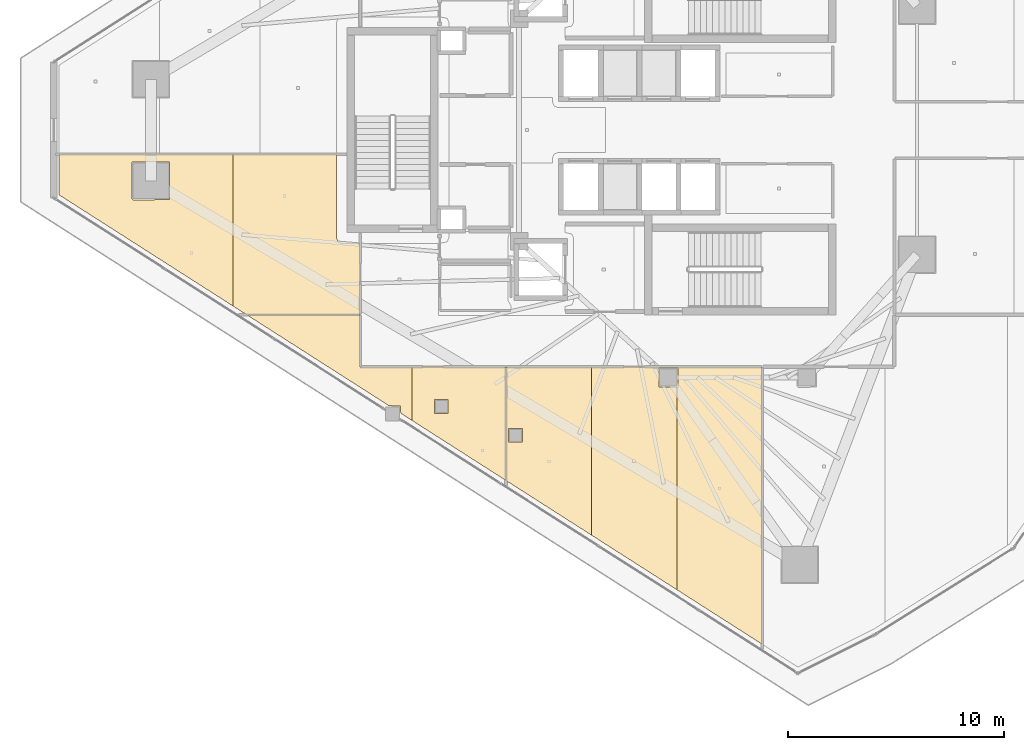
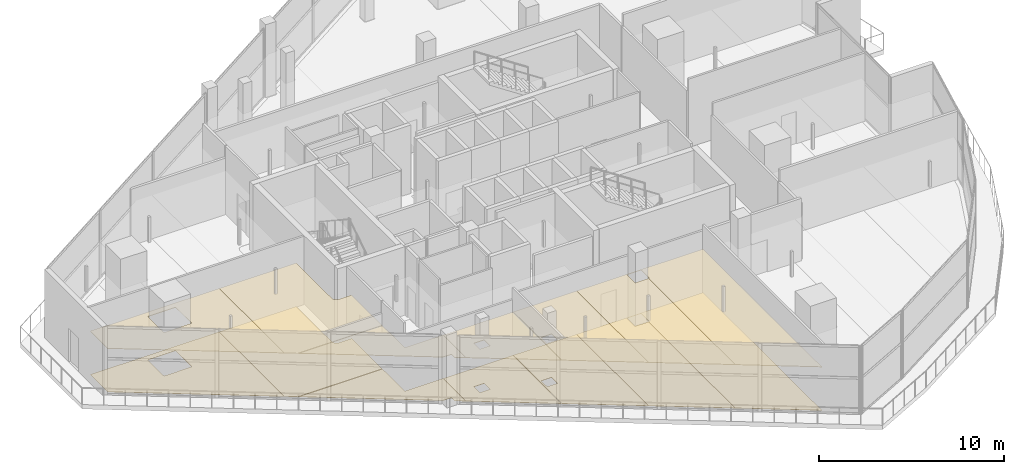
# One storey, part 30 of 36: 14 coverings.
"""IFC4 building model written with IfcOpenShell, lengths in metres."""

from ifc_helpers import new_model, si_unit, direction, frame, origin, place, context, subcontext, project, spatial, polyline, outline, extrude, material, layer, layer_set, type_object, element, save


model = new_model("IFC4")

# Units and contexts
model_context = context("Model", 3, precision=1e-05, world=origin(), true_north=direction((0.0, 1.0)))
body_context = subcontext(model_context, "Body", "Model", "MODEL_VIEW")
ifc_project = project(units=[si_unit("LENGTHUNIT", "METRE"), si_unit("AREAUNIT", "SQUARE_METRE"), si_unit("VOLUMEUNIT", "CUBIC_METRE"), si_unit("PLANEANGLEUNIT", "RADIAN"), si_unit("MASSUNIT", "GRAM", prefix="KILO")], contexts=[model_context])

# Site, building, storey
site_placement = place(None, origin())
site = spatial("IfcSite", under=ifc_project, at=site_placement, CompositionType="ELEMENT")
building_placement = place(site_placement, origin())
building = spatial("IfcBuilding", under=site, at=building_placement, Name="Qorvath Tower", CompositionType="ELEMENT")
storey_placement = place(building_placement, frame((0.0, 0.0, 255.0)))
storey = spatial("IfcBuildingStorey", under=building, at=storey_placement, Name="L59", CompositionType="ELEMENT", Elevation=255.0)

# Coverings
ifc_material_1 = material(Name="Acoustic mineral fibre ceiling tile", Category="gypsum")
ifc_layer_1 = layer(ifc_material_1, 0.030029296875)
ifc_layer_set_1 = layer_set([ifc_layer_1], Name="COV-CEIL")
covering_type_1 = type_object("IfcCoveringType", Name="COV-CEIL", PredefinedType="CEILING", material=ifc_layer_set_1)
covering_1_placement = place(storey_placement, frame((0.0, 0.0, 2.85009765625)))
element("IfcCovering", 1, at=covering_1_placement, inside=storey, type_object=covering_type_1, Name="L59 Suspended Acoustic Ceiling 017", PredefinedType="CEILING", context=body_context, shape_type="SweptSolid", body=[
    extrude(outline(polyline([(-37.863037109375, -8.554931640625), (-43.09375, -8.554931640625), (-36.529296875, -12.75048828125), (-35.997314453125, -12.76806640625), (-35.979736328125, -13.101806640625), (-35.46923828125, -13.427978515625), (-35.46923828125, -10.962890625), (-37.85791015625, -10.962890625), (-37.863037109375, -8.554931640625)])), origin(), (0.0, 0.0, 1.0), 0.030029296875),
])
covering_2_placement = place(storey_placement, frame((0.0, 0.0, 2.85009765625)))
element("IfcCovering", 2, at=covering_2_placement, inside=storey, type_object=covering_type_1, Name="L59 Suspended Acoustic Ceiling 018", PredefinedType="CEILING", context=body_context, shape_type="SweptSolid", body=[
    extrude(outline(polyline([(-35.46923828125, -10.962890625), (-35.46923828125, -13.427978515625), (-31.12109375, -16.20703125), (-31.12109375, -10.962890625), (-35.46923828125, -10.962890625)]), holes=[polyline([(-34.421630859375, -13.10986328125), (-34.421630859375, -12.47509765625), (-33.786865234375, -12.47509765625), (-33.786865234375, -13.10986328125), (-34.421630859375, -13.10986328125)])]), origin(), (0.0, 0.0, 1.0), 0.030029296875),
])
covering_3_placement = place(storey_placement, frame((0.0, 0.0, 2.85009765625)))
element("IfcCovering", 3, at=covering_3_placement, inside=storey, type_object=covering_type_1, Name="L59 Suspended Acoustic Ceiling 019", PredefinedType="CEILING", context=body_context, shape_type="SweptSolid", body=[
    extrude(outline(polyline([(-31.103271484375, -10.962890625), (-31.103271484375, -16.218505859375), (-27.157470703125, -18.740478515625), (-27.157470703125, -10.962890625), (-31.103271484375, -10.962890625)]), holes=[polyline([(-30.99462890625, -14.441650390625), (-30.99462890625, -13.806884765625), (-30.35986328125, -13.806884765625), (-30.35986328125, -14.441650390625), (-30.99462890625, -14.441650390625)])]), origin(), (0.0, 0.0, 1.0), 0.030029296875),
])
covering_4_placement = place(storey_placement, frame((0.0, 0.0, 2.85009765625)))
element("IfcCovering", 4, at=covering_4_placement, inside=storey, type_object=covering_type_1, Name="L59 Suspended Acoustic Ceiling 020", PredefinedType="CEILING", context=body_context, shape_type="SweptSolid", body=[
    extrude(outline(polyline([(-27.157470703125, -10.962890625), (-27.157470703125, -18.740478515625), (-23.211669921875, -21.26220703125), (-23.211669921875, -11.892333984375), (-24.04248046875, -11.892333984375), (-24.04248046875, -11.007568359375), (-23.211669921875, -11.007568359375), (-23.211669921875, -10.962890625), (-27.157470703125, -10.962890625)])), origin(), (0.0, 0.0, 1.0), 0.030029296875),
])
covering_5_placement = place(storey_placement, frame((0.0, 0.0, 2.85009765625)))
element("IfcCovering", 5, at=covering_5_placement, inside=storey, type_object=covering_type_1, Name="L59 Suspended Acoustic Ceiling 021", PredefinedType="CEILING", context=body_context, shape_type="SweptSolid", body=[
    extrude(outline(polyline([(-23.211669921875, -10.962890625), (-23.211669921875, -11.007568359375), (-23.157470703125, -11.007568359375), (-23.157470703125, -11.892333984375), (-23.211669921875, -11.892333984375), (-23.211669921875, -21.26220703125), (-19.265869140625, -23.7841796875), (-19.265869140625, -10.962890625), (-23.211669921875, -10.962890625)])), origin(), (0.0, 0.0, 1.0), 0.030029296875),
])
covering_6_placement = place(storey_placement, frame((0.0, 0.0, 2.85009765625)))
element("IfcCovering", 6, at=covering_6_placement, inside=storey, type_object=covering_type_1, Name="L59 Suspended Acoustic Ceiling 029", PredefinedType="CEILING", context=body_context, shape_type="SweptSolid", body=[
    extrude(outline(polyline([(-43.74658203125, -8.1376953125), (-43.74658203125, -1.11767578125), (-51.781005859375, -1.11767578125), (-51.781005859375, -3.002685546875), (-43.74658203125, -8.1376953125)]), holes=[polyline([(-48.422607421875, -3.174560546875), (-48.405029296875, -1.482177734375), (-46.670166015625, -1.482177734375), (-46.670166015625, -3.217041015625), (-48.362548828125, -3.234619140625), (-48.422607421875, -3.174560546875)])]), origin(), (0.0, 0.0, 1.0), 0.030029296875),
])
covering_7_placement = place(storey_placement, frame((0.0, 0.0, 2.85009765625)))
element("IfcCovering", 7, at=covering_7_placement, inside=storey, type_object=covering_type_1, Name="L59 Suspended Acoustic Ceiling 030", PredefinedType="CEILING", context=body_context, shape_type="SweptSolid", body=[
    extrude(outline(polyline([(-37.863037109375, -8.537109375), (-37.863037109375, -5.239990234375), (-38.699951171875, -5.239990234375), (-38.876708984375, -5.166748046875), (-38.949951171875, -4.989990234375), (-38.949951171875, -1.11767578125), (-43.74658203125, -1.11767578125), (-43.74658203125, -8.1376953125), (-43.121826171875, -8.537109375), (-37.863037109375, -8.537109375)])), origin(), (0.0, 0.0, 1.0), 0.030029296875),
])
ifc_material_2 = material(Name="Low-VOC modular carpet tile", Category="textile")
ifc_layer_2 = layer(ifc_material_2, 0.014892578125)
ifc_layer_set_2 = layer_set([ifc_layer_2], Name="COV-FLOOR-CPT")
covering_type_2 = type_object("IfcCoveringType", Name="COV-FLOOR-CPT", PredefinedType="FLOORING", material=ifc_layer_set_2)
covering_8_placement = place(storey_placement, origin())
element("IfcCovering", 8, at=covering_8_placement, inside=storey, type_object=covering_type_2, Name="L59 Floor Finish 017", PredefinedType="FLOORING", context=body_context, shape_type="SweptSolid", body=[
    extrude(outline(polyline([(-37.863037109375, -8.554931640625), (-43.09375, -8.554931640625), (-36.529296875, -12.75048828125), (-35.997314453125, -12.76806640625), (-35.979736328125, -13.101806640625), (-35.46923828125, -13.427978515625), (-35.46923828125, -10.962890625), (-37.85791015625, -10.962890625), (-37.863037109375, -8.554931640625)])), origin(), (0.0, 0.0, 1.0), 0.014892578125),
])
covering_9_placement = place(storey_placement, origin())
element("IfcCovering", 9, at=covering_9_placement, inside=storey, type_object=covering_type_2, Name="L59 Floor Finish 018", PredefinedType="FLOORING", context=body_context, shape_type="SweptSolid", body=[
    extrude(outline(polyline([(-35.46923828125, -10.962890625), (-35.46923828125, -13.427978515625), (-31.12109375, -16.20703125), (-31.12109375, -10.962890625), (-35.46923828125, -10.962890625)]), holes=[polyline([(-34.421630859375, -13.10986328125), (-34.421630859375, -12.47509765625), (-33.786865234375, -12.47509765625), (-33.786865234375, -13.10986328125), (-34.421630859375, -13.10986328125)])]), origin(), (0.0, 0.0, 1.0), 0.014892578125),
])
covering_10_placement = place(storey_placement, origin())
element("IfcCovering", 10, at=covering_10_placement, inside=storey, type_object=covering_type_2, Name="L59 Floor Finish 019", PredefinedType="FLOORING", context=body_context, shape_type="SweptSolid", body=[
    extrude(outline(polyline([(-31.103271484375, -10.962890625), (-31.103271484375, -16.218505859375), (-27.157470703125, -18.740478515625), (-27.157470703125, -10.962890625), (-31.103271484375, -10.962890625)]), holes=[polyline([(-30.99462890625, -14.441650390625), (-30.99462890625, -13.806884765625), (-30.35986328125, -13.806884765625), (-30.35986328125, -14.441650390625), (-30.99462890625, -14.441650390625)])]), origin(), (0.0, 0.0, 1.0), 0.014892578125),
])
covering_11_placement = place(storey_placement, origin())
element("IfcCovering", 11, at=covering_11_placement, inside=storey, type_object=covering_type_2, Name="L59 Floor Finish 020", PredefinedType="FLOORING", context=body_context, shape_type="SweptSolid", body=[
    extrude(outline(polyline([(-27.157470703125, -10.962890625), (-27.157470703125, -18.740478515625), (-23.211669921875, -21.26220703125), (-23.211669921875, -11.892333984375), (-24.04248046875, -11.892333984375), (-24.04248046875, -11.007568359375), (-23.211669921875, -11.007568359375), (-23.211669921875, -10.962890625), (-27.157470703125, -10.962890625)])), origin(), (0.0, 0.0, 1.0), 0.014892578125),
])
covering_12_placement = place(storey_placement, origin())
element("IfcCovering", 12, at=covering_12_placement, inside=storey, type_object=covering_type_2, Name="L59 Floor Finish 021", PredefinedType="FLOORING", context=body_context, shape_type="SweptSolid", body=[
    extrude(outline(polyline([(-23.211669921875, -10.962890625), (-23.211669921875, -11.007568359375), (-23.157470703125, -11.007568359375), (-23.157470703125, -11.892333984375), (-23.211669921875, -11.892333984375), (-23.211669921875, -21.26220703125), (-19.265869140625, -23.7841796875), (-19.265869140625, -10.962890625), (-23.211669921875, -10.962890625)])), origin(), (0.0, 0.0, 1.0), 0.014892578125),
])
covering_13_placement = place(storey_placement, origin())
element("IfcCovering", 13, at=covering_13_placement, inside=storey, type_object=covering_type_2, Name="L59 Floor Finish 029", PredefinedType="FLOORING", context=body_context, shape_type="SweptSolid", body=[
    extrude(outline(polyline([(-43.74658203125, -8.1376953125), (-43.74658203125, -1.11767578125), (-51.781005859375, -1.11767578125), (-51.781005859375, -3.002685546875), (-43.74658203125, -8.1376953125)]), holes=[polyline([(-48.422607421875, -3.174560546875), (-48.405029296875, -1.482177734375), (-46.670166015625, -1.482177734375), (-46.670166015625, -3.217041015625), (-48.362548828125, -3.234619140625), (-48.422607421875, -3.174560546875)])]), origin(), (0.0, 0.0, 1.0), 0.014892578125),
])
covering_14_placement = place(storey_placement, origin())
element("IfcCovering", 14, at=covering_14_placement, inside=storey, type_object=covering_type_2, Name="L59 Floor Finish 030", PredefinedType="FLOORING", context=body_context, shape_type="SweptSolid", body=[
    extrude(outline(polyline([(-37.863037109375, -8.537109375), (-37.863037109375, -5.239990234375), (-38.699951171875, -5.239990234375), (-38.876708984375, -5.166748046875), (-38.949951171875, -4.989990234375), (-38.949951171875, -1.11767578125), (-43.74658203125, -1.11767578125), (-43.74658203125, -8.1376953125), (-43.121826171875, -8.537109375), (-37.863037109375, -8.537109375)])), origin(), (0.0, 0.0, 1.0), 0.014892578125),
])

save(model, "model.ifc")
